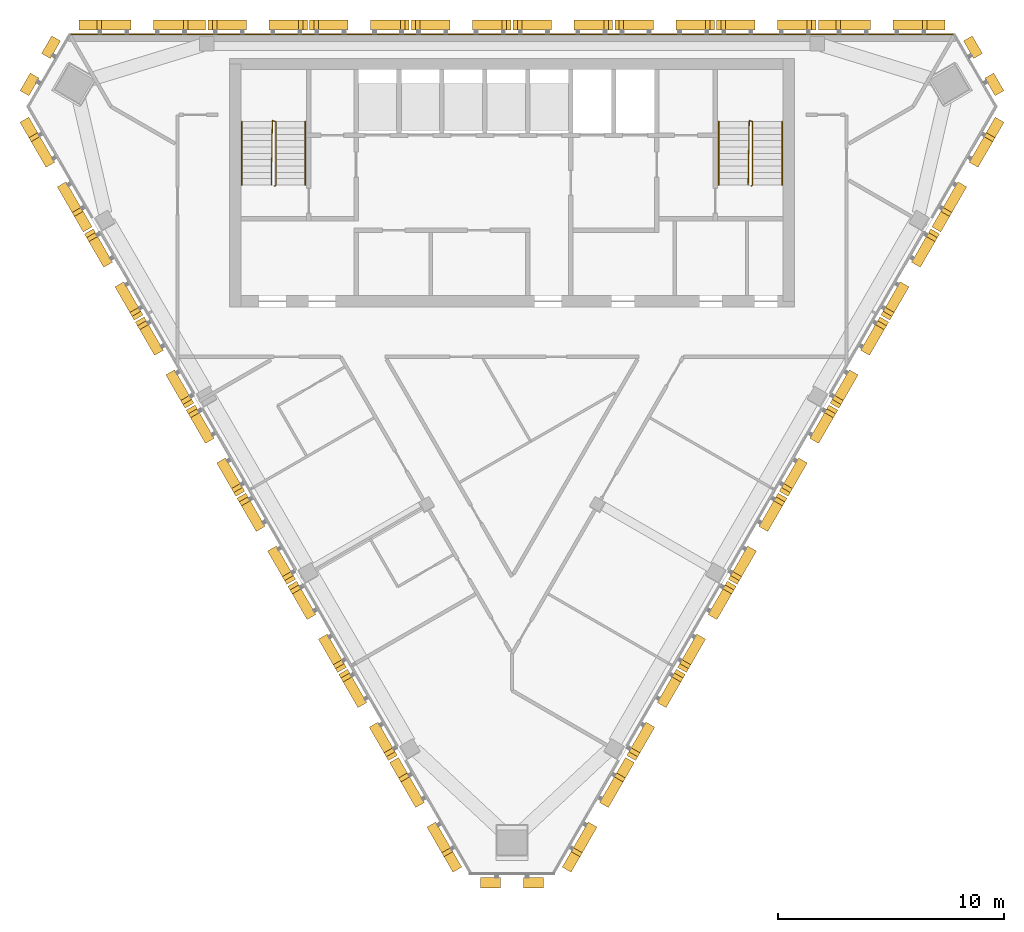
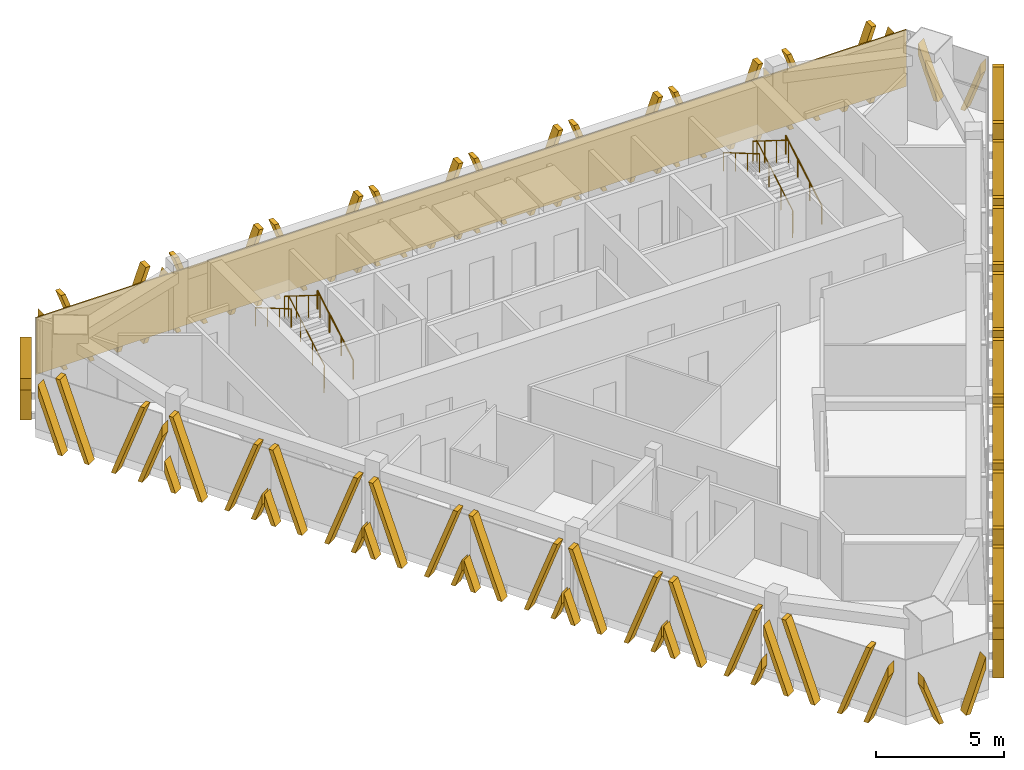
# One storey, part 9 of 10: 27 shading devices, 6 railings, 1 covering.
"""IFC4 building model written with IfcOpenShell, lengths in metres."""

from ifc_helpers import new_model, si_unit, direction, frame, frame_2d, origin, origin_2d, place, context, subcontext, project, spatial, polyline, rectangle, circle, outline, extrude, source, transform, mapped, material, layer, layer_set, type_object, element, save


model = new_model("IFC4")

# Units and contexts
model_context = context("Model", 3, precision=1e-05, world=origin(), true_north=direction((0.0, 1.0)))
body_context = subcontext(model_context, "Body", "Model", "MODEL_VIEW")
ifc_project = project(units=[si_unit("LENGTHUNIT", "METRE"), si_unit("AREAUNIT", "SQUARE_METRE"), si_unit("VOLUMEUNIT", "CUBIC_METRE"), si_unit("PLANEANGLEUNIT", "RADIAN"), si_unit("MASSUNIT", "GRAM", prefix="KILO")], contexts=[model_context])

# Site, building, storey
site_placement = place(None, origin())
site = spatial("IfcSite", under=ifc_project, at=site_placement, CompositionType="ELEMENT")
building_placement = place(site_placement, origin())
building = spatial("IfcBuilding", under=site, at=building_placement, Name="Altiplano Prism Tower", CompositionType="ELEMENT")
storey_placement = place(building_placement, frame((0.0, 0.0, 320.199951171875)))
storey = spatial("IfcBuildingStorey", under=building, at=storey_placement, Name="L83", CompositionType="ELEMENT", Elevation=320.199951171875)

# Railings
ifc_material_1 = material(Name="Steel S355", Category="steel")
railing_type_1 = type_object("IfcRailingType", Name="Stair guard 1100", PredefinedType="GUARDRAIL", material=ifc_material_1)
railing_1_placement = place(storey_placement, frame((74.5, 98.25, 0.0)))
element("IfcRailing", 1, at=railing_1_placement, inside=storey, type_object=railing_type_1, Name="L83 ST1 stair guard 1", PredefinedType="GUARDRAIL", context=body_context, shape_type="SweptSolid", body=[
    extrude(circle(Radius=0.02392578125, at=origin_2d()), frame((0.0, 0.0, 1.076171875), z_axis=(0.280808744504, 0.280808744504, 0.917765164963), x_axis=(-0.707106781187, 0.707106781187, 0.0)), (0.0, 0.0, 1.0), 0.17822265625),
    extrude(circle(Radius=0.02392578125, at=origin_2d()), frame((0.050048828125, 0.050048828125, 1.23974609375), z_axis=(0.0, 0.863360870873, 0.504586966384), x_axis=(-1.0, 0.0, 0.0)), (0.0, 0.0, 1.0), 3.2431640625),
    extrude(circle(Radius=0.02392578125, at=origin_2d()), frame((0.050048828125, 2.85009765625, 2.8759765625), z_axis=(-0.949145278916, 0.314838433982, 0.0), x_axis=(-0.314838433982, -0.949145278916, 0.0)), (0.0, 0.0, 1.0), 0.158203125),
    extrude(circle(Radius=0.02392578125, at=origin_2d()), frame((-0.10009765625, 2.89990234375, 2.8759765625), z_axis=(-0.01477401265, -0.845377694409, 0.533964682676), x_axis=(0.999847325713, -0.01747355902, 0.0)), (0.0, 0.0, 1.0), 3.37109375),
    extrude(circle(Radius=0.02099609375, at=origin_2d()), origin(), (0.0, 0.0, 1.0), 1.052001953125),
    extrude(circle(Radius=0.02099609375, at=origin_2d()), frame((0.050048828125, 0.050048828125, 0.16357421875)), (0.0, 0.0, 1.0), 1.052001953125),
    extrude(circle(Radius=0.02099609375, at=origin_2d()), frame((0.050048828125, 0.9833984375, 0.708984375)), (0.0, 0.0, 1.0), 1.052001953125),
    extrude(circle(Radius=0.02099609375, at=origin_2d()), frame((0.050048828125, 1.916748046875, 1.254638671875)), (0.0, 0.0, 1.0), 1.052001953125),
    extrude(circle(Radius=0.02099609375, at=origin_2d()), frame((0.050048828125, 2.85009765625, 1.800048828125)), (0.0, 0.0, 1.0), 1.052001953125),
    extrude(circle(Radius=0.02099609375, at=origin_2d()), frame((-0.10009765625, 2.89990234375, 1.800048828125)), (0.0, 0.0, 1.0), 1.052001953125),
    extrude(circle(Radius=0.02099609375, at=origin_2d()), frame((-0.11669921875, 1.949951171875, 2.400146484375)), (0.0, 0.0, 1.0), 1.052001953125),
    extrude(circle(Radius=0.02099609375, at=origin_2d()), frame((-0.13330078125, 1.0, 3.0)), (0.0, 0.0, 1.0), 1.052001953125),
    extrude(circle(Radius=0.02099609375, at=origin_2d()), frame((-0.14990234375, 0.050048828125, 3.60009765625)), (0.0, 0.0, 1.0), 1.052001953125),
])
railing_2_placement = place(storey_placement, frame((95.60009765625, 98.25, 0.0)))
element("IfcRailing", 2, at=railing_2_placement, inside=storey, type_object=railing_type_1, Name="L83 ST2 stair guard 1", PredefinedType="GUARDRAIL", context=body_context, shape_type="SweptSolid", body=[
    extrude(circle(Radius=0.02392578125, at=origin_2d()), frame((0.0, 0.0, 1.076171875), z_axis=(0.279546231943, 0.280916556609, 0.91811752648), x_axis=(-0.708833529934, 0.705375805398, 0.0)), (0.0, 0.0, 1.0), 0.17822265625),
    extrude(circle(Radius=0.02392578125, at=origin_2d()), frame((0.0498046875, 0.050048828125, 1.23974609375), z_axis=(0.0, 0.863360870873, 0.504586966384), x_axis=(-1.0, 0.0, 0.0)), (0.0, 0.0, 1.0), 3.2431640625),
    extrude(circle(Radius=0.02392578125, at=origin_2d()), frame((0.0498046875, 2.85009765625, 2.8759765625), z_axis=(-0.948991962702, 0.315300261223, 0.0), x_axis=(-0.315300261223, -0.948991962702, 0.0)), (0.0, 0.0, 1.0), 0.157958984375),
    extrude(circle(Radius=0.02392578125, at=origin_2d()), frame((-0.10009765625, 2.89990234375, 2.8759765625), z_axis=(-0.014846418356, -0.845376787675, 0.533964109957), x_axis=(0.999845825584, -0.017559187376, 0.0)), (0.0, 0.0, 1.0), 3.37109375),
    extrude(circle(Radius=0.02099609375, at=origin_2d()), origin(), (0.0, 0.0, 1.0), 1.052001953125),
    extrude(circle(Radius=0.02099609375, at=origin_2d()), frame((0.0498046875, 0.050048828125, 0.16357421875)), (0.0, 0.0, 1.0), 1.052001953125),
    extrude(circle(Radius=0.02099609375, at=origin_2d()), frame((0.0498046875, 0.9833984375, 0.708984375)), (0.0, 0.0, 1.0), 1.052001953125),
    extrude(circle(Radius=0.02099609375, at=origin_2d()), frame((0.0498046875, 1.916748046875, 1.254638671875)), (0.0, 0.0, 1.0), 1.052001953125),
    extrude(circle(Radius=0.02099609375, at=origin_2d()), frame((0.0498046875, 2.85009765625, 1.800048828125)), (0.0, 0.0, 1.0), 1.052001953125),
    extrude(circle(Radius=0.02099609375, at=origin_2d()), frame((-0.10009765625, 2.89990234375, 1.800048828125)), (0.0, 0.0, 1.0), 1.052001953125),
    extrude(circle(Radius=0.02099609375, at=origin_2d()), frame((-0.11669921875, 1.949951171875, 2.400146484375)), (0.0, 0.0, 1.0), 1.052001953125),
    extrude(circle(Radius=0.02099609375, at=origin_2d()), frame((-0.133544921875, 1.0, 3.0)), (0.0, 0.0, 1.0), 1.052001953125),
    extrude(circle(Radius=0.02099609375, at=origin_2d()), frame((-0.150146484375, 0.050048828125, 3.60009765625)), (0.0, 0.0, 1.0), 1.052001953125),
])
railing_type_2 = type_object("IfcRailingType", Name="Stair handrail 900", PredefinedType="HANDRAIL", material=ifc_material_1)
railing_3_placement = place(storey_placement, frame((75.85009765625, 98.300048828125, 0.16357421875)))
element("IfcRailing", 3, at=railing_3_placement, inside=storey, type_object=railing_type_2, Name="L83 ST1 stair handrail 1", PredefinedType="HANDRAIL", context=body_context, shape_type="SweptSolid", body=[
    extrude(circle(Radius=0.02392578125, at=origin_2d()), frame((0.0, 0.0, 0.8759765625), z_axis=(0.0, 0.863360870873, 0.504586966384), x_axis=(-1.0, 0.0, 0.0)), (0.0, 0.0, 1.0), 3.2431640625),
    extrude(circle(Radius=0.02099609375, at=origin_2d()), origin(), (0.0, 0.0, 1.0), 0.851806640625),
    extrude(circle(Radius=0.02099609375, at=origin_2d()), frame((0.0, 0.933349609375, 0.54541015625)), (0.0, 0.0, 1.0), 0.851806640625),
    extrude(circle(Radius=0.02099609375, at=origin_2d()), frame((0.0, 1.86669921875, 1.091064453125)), (0.0, 0.0, 1.0), 0.851806640625),
    extrude(circle(Radius=0.02099609375, at=origin_2d()), frame((0.0, 2.800048828125, 1.636474609375)), (0.0, 0.0, 1.0), 0.851806640625),
])
railing_4_placement = place(storey_placement, frame((73.050048828125, 101.10009765625, 1.963623046875)))
element("IfcRailing", 4, at=railing_4_placement, inside=storey, type_object=railing_type_2, Name="L83 ST1 stair handrail 2", PredefinedType="HANDRAIL", context=body_context, shape_type="SweptSolid", body=[
    extrude(circle(Radius=0.02392578125, at=origin_2d()), frame((0.0, 0.0, 0.8759765625), z_axis=(0.0, -0.863360870873, 0.504586966384), x_axis=(1.0, 0.0, 0.0)), (0.0, 0.0, 1.0), 3.2431640625),
    extrude(circle(Radius=0.02099609375, at=origin_2d()), origin(), (0.0, 0.0, 1.0), 0.851806640625),
    extrude(circle(Radius=0.02099609375, at=origin_2d()), frame((0.0, -0.933349609375, 0.54541015625)), (0.0, 0.0, 1.0), 0.851806640625),
    extrude(circle(Radius=0.02099609375, at=origin_2d()), frame((0.0, -1.86669921875, 1.091064453125)), (0.0, 0.0, 1.0), 0.851806640625),
    extrude(circle(Radius=0.02099609375, at=origin_2d()), frame((0.0, -2.800048828125, 1.636474609375)), (0.0, 0.0, 1.0), 0.851806640625),
])
railing_5_placement = place(storey_placement, frame((96.949951171875, 98.300048828125, 0.16357421875)))
element("IfcRailing", 5, at=railing_5_placement, inside=storey, type_object=railing_type_2, Name="L83 ST2 stair handrail 1", PredefinedType="HANDRAIL", context=body_context, shape_type="SweptSolid", body=[
    extrude(circle(Radius=0.02392578125, at=origin_2d()), frame((0.0, 0.0, 0.8759765625), z_axis=(0.0, 0.863360870873, 0.504586966384), x_axis=(-1.0, 0.0, 0.0)), (0.0, 0.0, 1.0), 3.2431640625),
    extrude(circle(Radius=0.02099609375, at=origin_2d()), origin(), (0.0, 0.0, 1.0), 0.851806640625),
    extrude(circle(Radius=0.02099609375, at=origin_2d()), frame((0.0, 0.933349609375, 0.54541015625)), (0.0, 0.0, 1.0), 0.851806640625),
    extrude(circle(Radius=0.02099609375, at=origin_2d()), frame((0.0, 1.86669921875, 1.091064453125)), (0.0, 0.0, 1.0), 0.851806640625),
    extrude(circle(Radius=0.02099609375, at=origin_2d()), frame((0.0, 2.800048828125, 1.636474609375)), (0.0, 0.0, 1.0), 0.851806640625),
])
railing_6_placement = place(storey_placement, frame((94.14990234375, 101.10009765625, 1.963623046875)))
element("IfcRailing", 6, at=railing_6_placement, inside=storey, type_object=railing_type_2, Name="L83 ST2 stair handrail 2", PredefinedType="HANDRAIL", context=body_context, shape_type="SweptSolid", body=[
    extrude(circle(Radius=0.02392578125, at=origin_2d()), frame((0.0, 0.0, 0.8759765625), z_axis=(0.0, -0.863360870873, 0.504586966384), x_axis=(1.0, 0.0, 0.0)), (0.0, 0.0, 1.0), 3.2431640625),
    extrude(circle(Radius=0.02099609375, at=origin_2d()), origin(), (0.0, 0.0, 1.0), 0.851806640625),
    extrude(circle(Radius=0.02099609375, at=origin_2d()), frame((0.0, -0.933349609375, 0.54541015625)), (0.0, 0.0, 1.0), 0.851806640625),
    extrude(circle(Radius=0.02099609375, at=origin_2d()), frame((0.0, -1.86669921875, 1.091064453125)), (0.0, 0.0, 1.0), 0.851806640625),
    extrude(circle(Radius=0.02099609375, at=origin_2d()), frame((0.0, -2.800048828125, 1.636474609375)), (0.0, 0.0, 1.0), 0.851806640625),
])

# Covering
ifc_material_2 = material(Name="Warm limestone cast stone", Category="masonry")
ifc_layer = layer(ifc_material_2, 0.06005859375)
ifc_layer_set = layer_set([ifc_layer], Name="Warm limestone cast stone")
covering_type = type_object("IfcCoveringType", Name="Stone cladding 60", PredefinedType="CLADDING", material=ifc_layer_set)
covering_placement = place(storey_placement, frame((65.387451171875, 104.969970703125, 0.0), z_axis=(0.0, 0.0, 1.0), x_axis=(1.0, 0.0, 0.0)))
element("IfcCovering", 7, at=covering_placement, inside=storey, type_object=covering_type, Name="Stone cladding north face L83", PredefinedType="CLADDING", context=body_context, shape_type="SweptSolid", body=[
    extrude(rectangle(XDim=39.22509765625, YDim=0.06005859375, at=frame_2d((19.612548828125, 0.0))), origin(), (0.0, 0.0, 1.0), 2.699951171875),
])

# Shading devices
shading_device_type_1 = type_object("IfcShadingDeviceType", Name="Stone fin panel, standard unit", PredefinedType="USERDEFINED", material=ifc_material_2)
shared_shape_1 = source(origin(), body_context, "Body", "SweptSolid", [
    extrude(outline(polyline([(-2.199951171875, 1.373779296875), (-2.199951171875, 0.82421875), (-1.89990234375, 0.0), (-1.699951171875, 0.0), (-2.199951171875, 1.373779296875)])), frame((0.0, -0.14990234375, 0.0), z_axis=(0.0, -1.0, 0.0), x_axis=(1.0, 0.0, 0.0)), (0.0, 0.0, 1.0), 0.4501953125),
    extrude(outline(polyline([(-2.01025390625, 3.60009765625), (-0.699951171875, 0.0), (-0.5, 0.0), (-1.810302734375, 3.60009765625), (-2.01025390625, 3.60009765625)])), frame((0.0, -0.14990234375, 0.0), z_axis=(0.0, -1.0, 0.0), x_axis=(1.0, 0.0, 0.0)), (0.0, 0.0, 1.0), 0.4501953125),
    extrude(outline(polyline([(1.810302734375, 3.60009765625), (0.5, 0.0), (0.699951171875, 0.0), (2.01025390625, 3.60009765625), (1.810302734375, 3.60009765625)])), frame((0.0, -0.14990234375, 0.0), z_axis=(0.0, -1.0, 0.0), x_axis=(1.0, 0.0, 0.0)), (0.0, 0.0, 1.0), 0.4501953125),
    extrude(outline(polyline([(2.199951171875, 0.82421875), (2.199951171875, 1.373779296875), (1.699951171875, 0.0), (1.89990234375, 0.0), (2.199951171875, 0.82421875)])), frame((0.0, -0.14990234375, 0.0), z_axis=(0.0, -1.0, 0.0), x_axis=(1.0, 0.0, 0.0)), (0.0, 0.0, 1.0), 0.4501953125),
])
shading_device_1_placement = place(storey_placement, origin())
element("IfcShadingDevice", 8, at=shading_device_1_placement, inside=storey, type_object=shading_device_type_1, Name="Fin L83 north face 2", ObjectType="FIN", PredefinedType="USERDEFINED", context=body_context, shape_type="MappedRepresentation", body=[
    mapped(shared_shape_1, transform((96.25, 105.0, -0.39990234375), x_axis=(-1.0, 0.0, 0.0), y_axis=(0.0, -1.0, 0.0), z_axis=(0.0, 0.0, 1.0))),
])
shading_device_2_placement = place(storey_placement, origin())
element("IfcShadingDevice", 9, at=shading_device_2_placement, inside=storey, type_object=shading_device_type_1, Name="Fin L83 north face 3", ObjectType="FIN", PredefinedType="USERDEFINED", context=body_context, shape_type="MappedRepresentation", body=[
    mapped(shared_shape_1, transform((91.75, 105.0, -0.39990234375), x_axis=(-1.0, 0.0, 0.0), y_axis=(0.0, -1.0, 0.0), z_axis=(0.0, 0.0, 1.0))),
])
shading_device_3_placement = place(storey_placement, origin())
element("IfcShadingDevice", 10, at=shading_device_3_placement, inside=storey, type_object=shading_device_type_1, Name="Fin L83 north face 4", ObjectType="FIN", PredefinedType="USERDEFINED", context=body_context, shape_type="MappedRepresentation", body=[
    mapped(shared_shape_1, transform((87.25, 105.0, -0.39990234375), x_axis=(-1.0, 0.0, 0.0), y_axis=(0.0, -1.0, 0.0), z_axis=(0.0, 0.0, 1.0))),
])
shading_device_4_placement = place(storey_placement, origin())
element("IfcShadingDevice", 11, at=shading_device_4_placement, inside=storey, type_object=shading_device_type_1, Name="Fin L83 north face 5", ObjectType="FIN", PredefinedType="USERDEFINED", context=body_context, shape_type="MappedRepresentation", body=[
    mapped(shared_shape_1, transform((82.75, 105.0, -0.39990234375), x_axis=(-1.0, 0.0, 0.0), y_axis=(0.0, -1.0, 0.0), z_axis=(0.0, 0.0, 1.0))),
])
shading_device_5_placement = place(storey_placement, origin())
element("IfcShadingDevice", 12, at=shading_device_5_placement, inside=storey, type_object=shading_device_type_1, Name="Fin L83 north face 6", ObjectType="FIN", PredefinedType="USERDEFINED", context=body_context, shape_type="MappedRepresentation", body=[
    mapped(shared_shape_1, transform((78.25, 105.0, -0.39990234375), x_axis=(-1.0, 0.0, 0.0), y_axis=(0.0, -1.0, 0.0), z_axis=(0.0, 0.0, 1.0))),
])
shading_device_6_placement = place(storey_placement, origin())
element("IfcShadingDevice", 13, at=shading_device_6_placement, inside=storey, type_object=shading_device_type_1, Name="Fin L83 north face 7", ObjectType="FIN", PredefinedType="USERDEFINED", context=body_context, shape_type="MappedRepresentation", body=[
    mapped(shared_shape_1, transform((73.75, 105.0, -0.39990234375), x_axis=(-1.0, 0.0, 0.0), y_axis=(0.0, -1.0, 0.0), z_axis=(0.0, 0.0, 1.0))),
])
shading_device_7_placement = place(storey_placement, origin())
element("IfcShadingDevice", 14, at=shading_device_7_placement, inside=storey, type_object=shading_device_type_1, Name="Fin L83 south-west face 2", ObjectType="FIN", PredefinedType="USERDEFINED", context=body_context, shape_type="MappedRepresentation", body=[
    mapped(shared_shape_1, transform((67.703125, 94.526611328125, -0.39990234375), x_axis=(0.500000008072, -0.866025399124, 0.0), y_axis=(0.866025399124, 0.500000008072, 0.0), z_axis=(0.0, 0.0, 1.0))),
])
shading_device_8_placement = place(storey_placement, origin())
element("IfcShadingDevice", 15, at=shading_device_8_placement, inside=storey, type_object=shading_device_type_1, Name="Fin L83 south-west face 3", ObjectType="FIN", PredefinedType="USERDEFINED", context=body_context, shape_type="MappedRepresentation", body=[
    mapped(shared_shape_1, transform((69.953125, 90.62939453125, -0.39990234375), x_axis=(0.500000008072, -0.866025399124, 0.0), y_axis=(0.866025399124, 0.500000008072, 0.0), z_axis=(0.0, 0.0, 1.0))),
])
shading_device_9_placement = place(storey_placement, origin())
element("IfcShadingDevice", 16, at=shading_device_9_placement, inside=storey, type_object=shading_device_type_1, Name="Fin L83 south-west face 4", ObjectType="FIN", PredefinedType="USERDEFINED", context=body_context, shape_type="MappedRepresentation", body=[
    mapped(shared_shape_1, transform((72.203125, 86.732421875, -0.39990234375), x_axis=(0.500000008072, -0.866025399124, 0.0), y_axis=(0.866025399124, 0.500000008072, 0.0), z_axis=(0.0, 0.0, 1.0))),
])
shading_device_10_placement = place(storey_placement, origin())
element("IfcShadingDevice", 17, at=shading_device_10_placement, inside=storey, type_object=shading_device_type_1, Name="Fin L83 south-west face 5", ObjectType="FIN", PredefinedType="USERDEFINED", context=body_context, shape_type="MappedRepresentation", body=[
    mapped(shared_shape_1, transform((74.453125, 82.835205078125, -0.39990234375), x_axis=(0.500000008072, -0.866025399124, 0.0), y_axis=(0.866025399124, 0.500000008072, 0.0), z_axis=(0.0, 0.0, 1.0))),
])
shading_device_11_placement = place(storey_placement, origin())
element("IfcShadingDevice", 18, at=shading_device_11_placement, inside=storey, type_object=shading_device_type_1, Name="Fin L83 south-west face 6", ObjectType="FIN", PredefinedType="USERDEFINED", context=body_context, shape_type="MappedRepresentation", body=[
    mapped(shared_shape_1, transform((76.703125, 78.938232421875, -0.39990234375), x_axis=(0.500000008072, -0.866025399124, 0.0), y_axis=(0.866025399124, 0.500000008072, 0.0), z_axis=(0.0, 0.0, 1.0))),
])
shading_device_12_placement = place(storey_placement, origin())
element("IfcShadingDevice", 19, at=shading_device_12_placement, inside=storey, type_object=shading_device_type_1, Name="Fin L83 south-west face 7", ObjectType="FIN", PredefinedType="USERDEFINED", context=body_context, shape_type="MappedRepresentation", body=[
    mapped(shared_shape_1, transform((78.953125, 75.041015625, -0.39990234375), x_axis=(0.500000008072, -0.866025399124, 0.0), y_axis=(0.866025399124, 0.500000008072, 0.0), z_axis=(0.0, 0.0, 1.0))),
])
shading_device_13_placement = place(storey_placement, origin())
element("IfcShadingDevice", 20, at=shading_device_13_placement, inside=storey, type_object=shading_device_type_1, Name="Fin L83 south-east face 2", ObjectType="FIN", PredefinedType="USERDEFINED", context=body_context, shape_type="MappedRepresentation", body=[
    mapped(shared_shape_1, transform((91.046875, 75.041015625, -0.39990234375), x_axis=(0.500000008072, 0.866025399124, 0.0), y_axis=(-0.866025399124, 0.500000008072, 0.0), z_axis=(0.0, 0.0, 1.0))),
])
shading_device_14_placement = place(storey_placement, origin())
element("IfcShadingDevice", 21, at=shading_device_14_placement, inside=storey, type_object=shading_device_type_1, Name="Fin L83 south-east face 3", ObjectType="FIN", PredefinedType="USERDEFINED", context=body_context, shape_type="MappedRepresentation", body=[
    mapped(shared_shape_1, transform((93.296875, 78.938232421875, -0.39990234375), x_axis=(0.500000008072, 0.866025399124, 0.0), y_axis=(-0.866025399124, 0.500000008072, 0.0), z_axis=(0.0, 0.0, 1.0))),
])
shading_device_15_placement = place(storey_placement, origin())
element("IfcShadingDevice", 22, at=shading_device_15_placement, inside=storey, type_object=shading_device_type_1, Name="Fin L83 south-east face 4", ObjectType="FIN", PredefinedType="USERDEFINED", context=body_context, shape_type="MappedRepresentation", body=[
    mapped(shared_shape_1, transform((95.546875, 82.835205078125, -0.39990234375), x_axis=(0.500000008072, 0.866025399124, 0.0), y_axis=(-0.866025399124, 0.500000008072, 0.0), z_axis=(0.0, 0.0, 1.0))),
])
shading_device_16_placement = place(storey_placement, origin())
element("IfcShadingDevice", 23, at=shading_device_16_placement, inside=storey, type_object=shading_device_type_1, Name="Fin L83 south-east face 5", ObjectType="FIN", PredefinedType="USERDEFINED", context=body_context, shape_type="MappedRepresentation", body=[
    mapped(shared_shape_1, transform((97.796875, 86.732421875, -0.39990234375), x_axis=(0.500000008072, 0.866025399124, 0.0), y_axis=(-0.866025399124, 0.500000008072, 0.0), z_axis=(0.0, 0.0, 1.0))),
])
shading_device_17_placement = place(storey_placement, origin())
element("IfcShadingDevice", 24, at=shading_device_17_placement, inside=storey, type_object=shading_device_type_1, Name="Fin L83 south-east face 6", ObjectType="FIN", PredefinedType="USERDEFINED", context=body_context, shape_type="MappedRepresentation", body=[
    mapped(shared_shape_1, transform((100.046875, 90.62939453125, -0.39990234375), x_axis=(0.500000008072, 0.866025399124, 0.0), y_axis=(-0.866025399124, 0.500000008072, 0.0), z_axis=(0.0, 0.0, 1.0))),
])
shading_device_18_placement = place(storey_placement, origin())
element("IfcShadingDevice", 25, at=shading_device_18_placement, inside=storey, type_object=shading_device_type_1, Name="Fin L83 south-east face 7", ObjectType="FIN", PredefinedType="USERDEFINED", context=body_context, shape_type="MappedRepresentation", body=[
    mapped(shared_shape_1, transform((102.296875, 94.526611328125, -0.39990234375), x_axis=(0.500000008072, 0.866025399124, 0.0), y_axis=(-0.866025399124, 0.500000008072, 0.0), z_axis=(0.0, 0.0, 1.0))),
])
shading_device_type_2 = type_object("IfcShadingDeviceType", Name="Stone fin panel, chamfer unit", PredefinedType="USERDEFINED", material=ifc_material_2)
shared_shape_2 = source(origin(), body_context, "Body", "SweptSolid", [
    extrude(outline(polyline([(-1.39990234375, 2.47265625), (-1.39990234375, 1.923095703125), (-0.699951171875, 0.0), (-0.5, 0.0), (-1.39990234375, 2.47265625)])), frame((0.0, -0.14990234375, 0.0), z_axis=(0.0, -1.0, 0.0), x_axis=(1.0, 0.0, 0.0)), (0.0, 0.0, 1.0), 0.4501953125),
    extrude(outline(polyline([(1.39990234375, 1.923095703125), (1.39990234375, 2.47265625), (0.5, 0.0), (0.699951171875, 0.0), (1.39990234375, 1.923095703125)])), frame((0.0, -0.14990234375, 0.0), z_axis=(0.0, -1.0, 0.0), x_axis=(1.0, 0.0, 0.0)), (0.0, 0.0, 1.0), 0.4501953125),
])
shading_device_19_placement = place(storey_placement, origin())
element("IfcShadingDevice", 26, at=shading_device_19_placement, inside=storey, type_object=shading_device_type_2, Name="Fin L83 north-west chamfer 1", ObjectType="FIN", PredefinedType="USERDEFINED", context=body_context, shape_type="MappedRepresentation", body=[
    mapped(shared_shape_2, transform((64.454833984375, 103.38427734375, -0.39990234375), x_axis=(-0.499999982077, -0.866025414133, 0.0), y_axis=(0.866025414133, -0.499999982077, 0.0), z_axis=(0.0, 0.0, 1.0))),
])
shading_device_20_placement = place(storey_placement, origin())
element("IfcShadingDevice", 27, at=shading_device_20_placement, inside=storey, type_object=shading_device_type_2, Name="Fin L83 south chamfer 1", ObjectType="FIN", PredefinedType="USERDEFINED", context=body_context, shape_type="MappedRepresentation", body=[
    mapped(shared_shape_2, transform((85.0, 67.799072265625, -0.39990234375), x_axis=(1.0, 0.0, 0.0), y_axis=(0.0, 1.0, 0.0), z_axis=(0.0, 0.0, 1.0))),
])
shading_device_21_placement = place(storey_placement, origin())
element("IfcShadingDevice", 28, at=shading_device_21_placement, inside=storey, type_object=shading_device_type_2, Name="Fin L83 north-east chamfer 1", ObjectType="FIN", PredefinedType="USERDEFINED", context=body_context, shape_type="MappedRepresentation", body=[
    mapped(shared_shape_2, transform((105.545166015625, 103.38427734375, -0.39990234375), x_axis=(-0.499999982077, 0.866025414133, 0.0), y_axis=(-0.866025414133, -0.499999982077, 0.0), z_axis=(0.0, 0.0, 1.0))),
])
shading_device_type_3 = type_object("IfcShadingDeviceType", Name="Stone fin panel, wide closing bay", PredefinedType="USERDEFINED", material=ifc_material_2)
shared_shape_3 = source(origin(), body_context, "Body", "SweptSolid", [
    extrude(outline(polyline([(-2.800048828125, 3.022216796875), (-2.800048828125, 2.47265625), (-1.89990234375, 0.0), (-1.699951171875, 0.0), (-2.800048828125, 3.022216796875)])), frame((0.0, -0.14990234375, 0.0), z_axis=(0.0, -1.0, 0.0), x_axis=(1.0, 0.0, 0.0)), (0.0, 0.0, 1.0), 0.4501953125),
    extrude(outline(polyline([(-2.01025390625, 3.60009765625), (-0.699951171875, 0.0), (-0.5, 0.0), (-1.810302734375, 3.60009765625), (-2.01025390625, 3.60009765625)])), frame((0.0, -0.14990234375, 0.0), z_axis=(0.0, -1.0, 0.0), x_axis=(1.0, 0.0, 0.0)), (0.0, 0.0, 1.0), 0.4501953125),
    extrude(outline(polyline([(1.810302734375, 3.60009765625), (0.5, 0.0), (0.699951171875, 0.0), (2.01025390625, 3.60009765625), (1.810302734375, 3.60009765625)])), frame((0.0, -0.14990234375, 0.0), z_axis=(0.0, -1.0, 0.0), x_axis=(1.0, 0.0, 0.0)), (0.0, 0.0, 1.0), 0.4501953125),
    extrude(outline(polyline([(2.800048828125, 2.47265625), (2.800048828125, 3.022216796875), (1.699951171875, 0.0), (1.89990234375, 0.0), (2.800048828125, 2.47265625)])), frame((0.0, -0.14990234375, 0.0), z_axis=(0.0, -1.0, 0.0), x_axis=(1.0, 0.0, 0.0)), (0.0, 0.0, 1.0), 0.4501953125),
])
shading_device_22_placement = place(storey_placement, origin())
element("IfcShadingDevice", 29, at=shading_device_22_placement, inside=storey, type_object=shading_device_type_3, Name="Fin L83 north face 1", ObjectType="FIN", PredefinedType="USERDEFINED", context=body_context, shape_type="MappedRepresentation", body=[
    mapped(shared_shape_3, transform((101.356201171875, 105.0, -0.39990234375), x_axis=(-1.0, 0.0, 0.0), y_axis=(0.0, -1.0, 0.0), z_axis=(0.0, 0.0, 1.0))),
])
shading_device_23_placement = place(storey_placement, origin())
element("IfcShadingDevice", 30, at=shading_device_23_placement, inside=storey, type_object=shading_device_type_3, Name="Fin L83 north face 8", ObjectType="FIN", PredefinedType="USERDEFINED", context=body_context, shape_type="MappedRepresentation", body=[
    mapped(shared_shape_3, transform((68.643798828125, 105.0, -0.39990234375), x_axis=(-1.0, 0.0, 0.0), y_axis=(0.0, -1.0, 0.0), z_axis=(0.0, 0.0, 1.0))),
])
shading_device_24_placement = place(storey_placement, origin())
element("IfcShadingDevice", 31, at=shading_device_24_placement, inside=storey, type_object=shading_device_type_3, Name="Fin L83 south-west face 1", ObjectType="FIN", PredefinedType="USERDEFINED", context=body_context, shape_type="MappedRepresentation", body=[
    mapped(shared_shape_3, transform((65.150146484375, 98.94873046875, -0.39990234375), x_axis=(0.500000008072, -0.866025399124, 0.0), y_axis=(0.866025399124, 0.500000008072, 0.0), z_axis=(0.0, 0.0, 1.0))),
])
shading_device_25_placement = place(storey_placement, origin())
element("IfcShadingDevice", 32, at=shading_device_25_placement, inside=storey, type_object=shading_device_type_3, Name="Fin L83 south-west face 8", ObjectType="FIN", PredefinedType="USERDEFINED", context=body_context, shape_type="MappedRepresentation", body=[
    mapped(shared_shape_3, transform((81.50634765625, 70.618896484375, -0.39990234375), x_axis=(0.500000008072, -0.866025399124, 0.0), y_axis=(0.866025399124, 0.500000008072, 0.0), z_axis=(0.0, 0.0, 1.0))),
])
shading_device_26_placement = place(storey_placement, origin())
element("IfcShadingDevice", 33, at=shading_device_26_placement, inside=storey, type_object=shading_device_type_3, Name="Fin L83 south-east face 1", ObjectType="FIN", PredefinedType="USERDEFINED", context=body_context, shape_type="MappedRepresentation", body=[
    mapped(shared_shape_3, transform((88.49365234375, 70.618896484375, -0.39990234375), x_axis=(0.500000008072, 0.866025399124, 0.0), y_axis=(-0.866025399124, 0.500000008072, 0.0), z_axis=(0.0, 0.0, 1.0))),
])
shading_device_27_placement = place(storey_placement, origin())
element("IfcShadingDevice", 34, at=shading_device_27_placement, inside=storey, type_object=shading_device_type_3, Name="Fin L83 south-east face 8", ObjectType="FIN", PredefinedType="USERDEFINED", context=body_context, shape_type="MappedRepresentation", body=[
    mapped(shared_shape_3, transform((104.849853515625, 98.94873046875, -0.39990234375), x_axis=(0.500000008072, 0.866025399124, 0.0), y_axis=(-0.866025399124, 0.500000008072, 0.0), z_axis=(0.0, 0.0, 1.0))),
])

save(model, "model.ifc")
